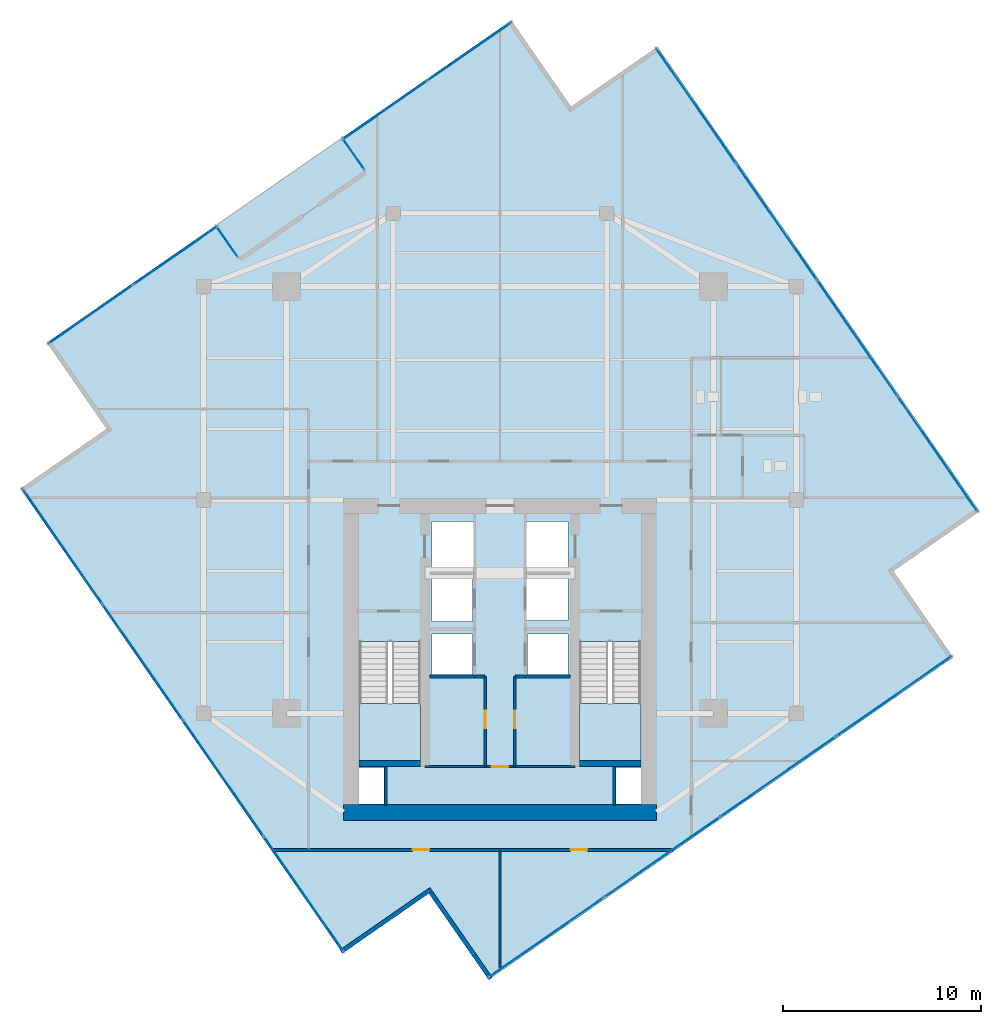
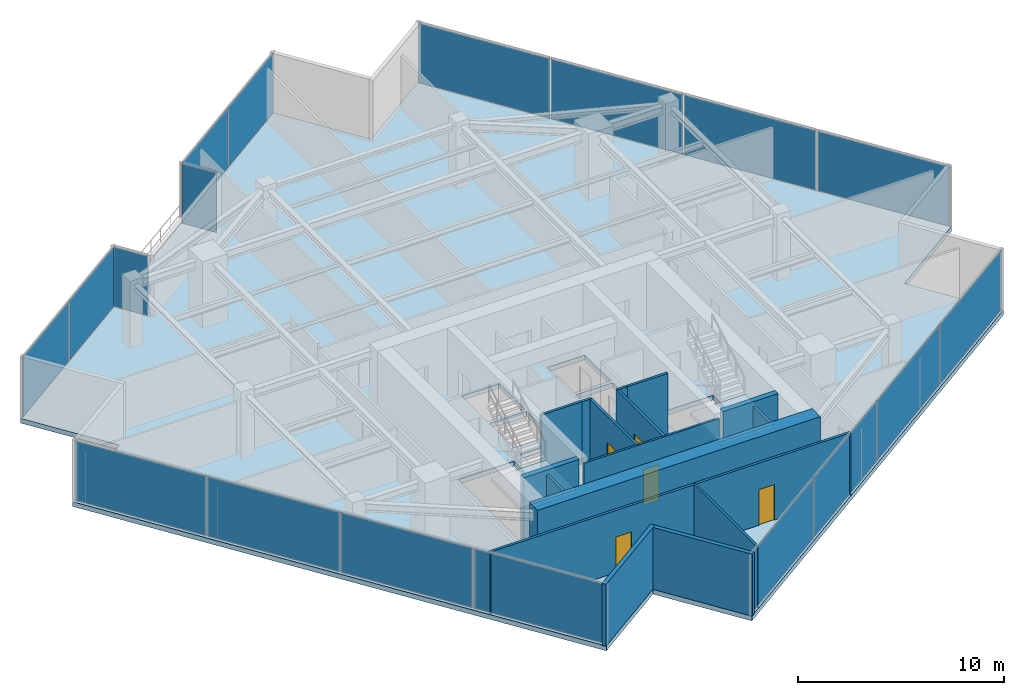
# One storey, part 17 of 21: 18 plates, 16 walls, 5 doors, 3 slabs, 5 openings, 9 elements without a shape of their own.
"""IFC4 building model written with IfcOpenShell, lengths in metres."""

from ifc_helpers import new_model, si_unit, direction, frame, frame_2d, origin, origin_2d, place, context, subcontext, project, spatial, polyline, rectangle, outline, extrude, source, transform, mapped, material, layer, layer_set, type_object, type_shapes, element, fill, aggregate, save


model = new_model("IFC4")

# Units and contexts
model_context = context("Model", 3, precision=1e-05, world=origin(), true_north=direction((0.0, 1.0)))
body_context = subcontext(model_context, "Body", "Model", "MODEL_VIEW")
ifc_project = project(units=[si_unit("LENGTHUNIT", "METRE"), si_unit("AREAUNIT", "SQUARE_METRE"), si_unit("VOLUMEUNIT", "CUBIC_METRE"), si_unit("PLANEANGLEUNIT", "RADIAN"), si_unit("MASSUNIT", "GRAM", prefix="KILO")], contexts=[model_context])

# Site, building, storey
site_placement = place(None, origin())
site = spatial("IfcSite", under=ifc_project, at=site_placement, CompositionType="ELEMENT")
building_placement = place(site_placement, origin())
building = spatial("IfcBuilding", under=site, at=building_placement, Name="Krantzveldt Concourse Tower", CompositionType="ELEMENT")
storey_placement = place(building_placement, frame((0.0, 0.0, 279.25)))
storey = spatial("IfcBuildingStorey", under=building, at=storey_placement, Name="L68", CompositionType="ELEMENT", Elevation=279.25)

# Stair, slab
ifc_material_1 = material(Name="Precast concrete C40/50", Category="concrete")
stair_type = type_object("IfcStairType", Name="STR-CORE-DOGLEG", PredefinedType="HALF_TURN_STAIR", material=ifc_material_1)
stair_1_placement = place(storey_placement, origin())
stair_1 = element("IfcStair", 1, at=stair_1_placement, inside=storey, type_object=stair_type, Name="L68 Protected Escape Stair ST-1", PredefinedType="HALF_TURN_STAIR")
ifc_layer_1 = layer(ifc_material_1, 0.199951171875, Name="Precast concrete C40/50", Category="concrete")
ifc_layer_set_1 = layer_set([ifc_layer_1], Name="Precast concrete C40/50 (SL-LANDING-200)")
slab_type_1 = type_object("IfcSlabType", Name="SL-LANDING-200", PredefinedType="LANDING", material=ifc_layer_set_1)
slab_1_placement = place(storey_placement, frame((0.0, 0.0, 1.77490234375)))
slab_1 = element("IfcSlab", 2, at=slab_1_placement, type_object=slab_type_1, Name="ST-1 landing 1", PredefinedType="LANDING", context=body_context, shape_type="SweptSolid", body=[
    extrude(outline(polyline([(28.8798828125, 16.4150390625), (28.8798828125, 13.52001953125), (31.97998046875, 13.52001953125), (31.97998046875, 16.4150390625), (28.8798828125, 16.4150390625)])), origin(), (0.0, 0.0, 1.0), 0.2001953125),
])
aggregate(stair_1, [slab_1])

stair_2_placement = place(storey_placement, origin())
stair_2 = element("IfcStair", 3, at=stair_2_placement, inside=storey, type_object=stair_type, Name="L68 Protected Escape Stair ST-2", PredefinedType="HALF_TURN_STAIR")
slab_2_placement = place(storey_placement, frame((0.0, 0.0, 1.77490234375)))
slab_2 = element("IfcSlab", 4, at=slab_2_placement, type_object=slab_type_1, Name="ST-2 landing 1", PredefinedType="LANDING", context=body_context, shape_type="SweptSolid", body=[
    extrude(outline(polyline([(40.02001953125, 16.4150390625), (40.02001953125, 13.52001953125), (43.1201171875, 13.52001953125), (43.1201171875, 16.4150390625), (40.02001953125, 16.4150390625)])), origin(), (0.0, 0.0, 1.0), 0.2001953125),
])
aggregate(stair_2, [slab_2])

# Slab
ifc_material_2 = material(Name="Concrete C40/50", Category="concrete")
ifc_layer_2 = layer(ifc_material_2, 0.280029296875, Name="Concrete C40/50", Category="concrete")
ifc_layer_set_2 = layer_set([ifc_layer_2], Name="Concrete C40/50 (SL-SL-TER280)")
slab_type_2 = type_object("IfcSlabType", Name="SL-SL-TER280", PredefinedType="FLOOR", material=ifc_layer_set_2)
slab_3_placement = place(storey_placement, frame((0.0, 0.0, -0.280029296875)))
element("IfcSlab", 5, at=slab_3_placement, inside=storey, type_object=slab_type_2, Name="SL-L68-MAIN", PredefinedType="FLOOR", context=body_context, shape_type="SweptSolid", body=[
    extrude(outline(polyline([(39.5986328125, 46.6005859375), (36.57763671875, 50.955322265625), (13.07861328125, 34.6533203125), (16.099609375, 30.298583984375), (11.744873046875, 27.277587890625), (28.046630859375, 3.778564453125), (32.4013671875, 6.799560546875), (35.42236328125, 2.44482421875), (58.92138671875, 18.74658203125), (55.900390625, 23.101318359375), (60.255126953125, 26.122314453125), (43.953369140625, 49.62158203125), (39.5986328125, 46.6005859375)]), holes=[polyline([(28.8798828125, 19.547607421875), (28.8798828125, 13.52001953125), (31.97998046875, 13.52001953125), (31.97998046875, 19.547607421875), (28.8798828125, 19.547607421875)]), polyline([(40.02001953125, 19.547607421875), (40.02001953125, 13.52001953125), (43.1201171875, 13.52001953125), (43.1201171875, 19.547607421875), (40.02001953125, 19.547607421875)]), polyline([(32.550048828125, 23.10009765625), (34.64990234375, 23.10009765625), (34.64990234375, 25.60009765625), (32.550048828125, 25.60009765625), (32.550048828125, 23.10009765625)]), polyline([(37.35009765625, 23.10009765625), (39.449951171875, 23.10009765625), (39.449951171875, 25.60009765625), (37.35009765625, 25.60009765625), (37.35009765625, 23.10009765625)]), polyline([(37.35009765625, 20.60009765625), (39.449951171875, 20.60009765625), (39.449951171875, 22.89990234375), (37.35009765625, 22.89990234375), (37.35009765625, 20.60009765625)]), polyline([(32.550048828125, 20.550048828125), (34.6201171875, 20.550048828125), (34.6201171875, 22.89990234375), (32.550048828125, 22.89990234375), (32.550048828125, 20.550048828125)]), polyline([(32.550048828125, 17.8798828125), (34.6201171875, 17.8798828125), (34.6201171875, 19.919921875), (32.550048828125, 19.919921875), (32.550048828125, 17.8798828125)]), polyline([(37.3798828125, 17.8798828125), (39.449951171875, 17.8798828125), (39.449951171875, 19.919921875), (37.3798828125, 19.919921875), (37.3798828125, 17.8798828125)]), polyline([(28.8798828125, 11.320068359375), (30.139892578125, 11.320068359375), (30.139892578125, 13.159912109375), (28.8798828125, 13.159912109375), (28.8798828125, 11.320068359375)]), polyline([(41.860107421875, 11.320068359375), (43.1201171875, 11.320068359375), (43.1201171875, 13.159912109375), (41.860107421875, 13.159912109375), (41.860107421875, 11.320068359375)])]), origin(), (0.0, 0.0, 1.0), 0.280029296875),
])

# Curtain wall, plate
ifc_material_3 = material(Name="Anodised aluminium 6063-T6", Category="aluminium")
curtain_wall_type_1 = type_object("IfcCurtainWallType", Name="CW6", PredefinedType="USERDEFINED", material=ifc_material_3)
curtain_wall_1_placement = place(storey_placement, origin())
curtain_wall_1 = element("IfcCurtainWall", 6, at=curtain_wall_1_placement, inside=storey, type_object=curtain_wall_type_1, Name="CW-L68-TR02", ObjectType="UNITISED CURTAIN WALL", PredefinedType="USERDEFINED")
ifc_material_4 = material(Name="Bronze-tinted laminated low-E IGU glass", Category="glass")
ifc_layer_3 = layer(ifc_material_4, 0.031982421875, Name="Bronze-tinted laminated low-E IGU glass", Category="glass")
ifc_layer_set_3 = layer_set([ifc_layer_3], Name="Bronze-tinted laminated low-E IGU glass (CW-GLZ-32)")
plate_type = type_object("IfcPlateType", Name="CW-GLZ-32", PredefinedType="CURTAIN_PANEL", material=ifc_layer_set_3)
shared_shape_1 = source(origin(), body_context, "Body", "SweptSolid", [
    extrude(rectangle(XDim=1.860107421875, YDim=0.031982421875, at=origin_2d()), origin(), (0.0, 0.0, 1.0), 3.530029296875),
])
plate_1_placement = place(storey_placement, frame((28.59423828125, 44.199951171875, 0.06982421875), z_axis=(0.0, 0.0, 1.0), x_axis=(0.569997514107, -0.8216464166, 0.0)))
plate_1 = element("IfcPlate", 7, at=plate_1_placement, type_object=plate_type, Name="CW-TERR panel 1.1", PredefinedType="CURTAIN_PANEL", context=body_context, shape_type="MappedRepresentation", body=[
    mapped(shared_shape_1, transform((0.0, 0.0, 0.0), x_axis=(1.0, 0.0, 0.0), y_axis=(0.0, 1.0, 0.0), z_axis=(0.0, 0.0, 1.0), scale=1.0)),
])
aggregate(curtain_wall_1, [plate_1])

curtain_wall_2_placement = place(storey_placement, origin())
curtain_wall_2 = element("IfcCurtainWall", 8, at=curtain_wall_2_placement, inside=storey, type_object=curtain_wall_type_1, Name="CW-L68-TR04", ObjectType="UNITISED CURTAIN WALL", PredefinedType="USERDEFINED")
plate_2_placement = place(storey_placement, frame((22.201904296875, 39.765380859375, 0.06982421875), z_axis=(0.0, 0.0, 1.0), x_axis=(-0.569996480262, 0.821647133805, 0.0)))
plate_2 = element("IfcPlate", 9, at=plate_2_placement, type_object=plate_type, Name="CW-TERR panel 1.1", PredefinedType="CURTAIN_PANEL", context=body_context, shape_type="MappedRepresentation", body=[
    mapped(shared_shape_1, transform((0.0, 0.0, 0.0), x_axis=(1.0, 0.0, 0.0), y_axis=(0.0, 1.0, 0.0), z_axis=(0.0, 0.0, 1.0), scale=1.0)),
])
aggregate(curtain_wall_2, [plate_2])

# Curtain wall, plates
curtain_wall_type_2 = type_object("IfcCurtainWallType", Name="CW4", PredefinedType="USERDEFINED", material=ifc_material_3)
curtain_wall_3_placement = place(storey_placement, origin())
curtain_wall_3 = element("IfcCurtainWall", 10, at=curtain_wall_3_placement, inside=storey, type_object=curtain_wall_type_2, Name="CW-L68-F08", ObjectType="UNITISED CURTAIN WALL", PredefinedType="USERDEFINED")
shared_shape_2 = source(origin(), body_context, "Body", "SweptSolid", [
    extrude(rectangle(XDim=7.044921875, YDim=0.031982421875, at=origin_2d()), origin(), (0.0, 0.0, 1.0), 3.530029296875),
])
plate_3_placement = place(storey_placement, frame((13.866455078125, 24.377197265625, 0.06982421875), z_axis=(0.0, 0.0, 1.0), x_axis=(0.569996627395, -0.821647031735, 0.0)))
plate_3 = element("IfcPlate", 11, at=plate_3_placement, type_object=plate_type, Name="CW-Z56 panel 1.1", PredefinedType="CURTAIN_PANEL", context=body_context, shape_type="MappedRepresentation", body=[
    mapped(shared_shape_2, transform((0.0, 0.0, 0.0), x_axis=(1.0, 0.0, 0.0), y_axis=(0.0, 1.0, 0.0), z_axis=(0.0, 0.0, 1.0), scale=1.0)),
])
plate_4_placement = place(storey_placement, frame((26.072998046875, 6.781494140625, 0.06982421875), z_axis=(0.0, 0.0, 1.0), x_axis=(0.569996627395, -0.821647031735, 0.0)))
plate_4 = element("IfcPlate", 12, at=plate_4_placement, type_object=plate_type, Name="CW-Z56 panel 4.1", PredefinedType="CURTAIN_PANEL", context=body_context, shape_type="MappedRepresentation", body=[
    mapped(shared_shape_2, transform((0.0, 0.0, 0.0), x_axis=(1.0, 0.0, 0.0), y_axis=(0.0, 1.0, 0.0), z_axis=(0.0, 0.0, 1.0), scale=1.0)),
])

curtain_wall_4_placement = place(storey_placement, origin())
curtain_wall_4 = element("IfcCurtainWall", 13, at=curtain_wall_4_placement, inside=storey, type_object=curtain_wall_type_2, Name="CW-L68-F11", ObjectType="UNITISED CURTAIN WALL", PredefinedType="USERDEFINED")
plate_5_placement = place(storey_placement, frame((38.32275390625, 4.56640625, 0.06982421875), z_axis=(0.0, 0.0, 1.0), x_axis=(0.821647031735, 0.569996627395, 0.0)))
plate_5 = element("IfcPlate", 14, at=plate_5_placement, type_object=plate_type, Name="CW-Z56 panel 1.1", PredefinedType="CURTAIN_PANEL", context=body_context, shape_type="MappedRepresentation", body=[
    mapped(shared_shape_2, transform((0.0, 0.0, 0.0), x_axis=(1.0, 0.0, 0.0), y_axis=(0.0, 1.0, 0.0), z_axis=(0.0, 0.0, 1.0), scale=1.0)),
])
plate_6_placement = place(storey_placement, frame((55.91845703125, 16.77294921875, 0.06982421875), z_axis=(0.0, 0.0, 1.0), x_axis=(0.821647031735, 0.569996627395, 0.0)))
plate_6 = element("IfcPlate", 15, at=plate_6_placement, type_object=plate_type, Name="CW-Z56 panel 4.1", PredefinedType="CURTAIN_PANEL", context=body_context, shape_type="MappedRepresentation", body=[
    mapped(shared_shape_2, transform((0.0, 0.0, 0.0), x_axis=(1.0, 0.0, 0.0), y_axis=(0.0, 1.0, 0.0), z_axis=(0.0, 0.0, 1.0), scale=1.0)),
])

curtain_wall_5_placement = place(storey_placement, origin())
curtain_wall_5 = element("IfcCurtainWall", 16, at=curtain_wall_5_placement, inside=storey, type_object=curtain_wall_type_2, Name="CW-L68-F14", ObjectType="UNITISED CURTAIN WALL", PredefinedType="USERDEFINED")
plate_7_placement = place(storey_placement, frame((58.133544921875, 29.02294921875, 0.06982421875), z_axis=(0.0, 0.0, 1.0), x_axis=(-0.569996627395, 0.821647031735, 0.0)))
plate_7 = element("IfcPlate", 17, at=plate_7_placement, type_object=plate_type, Name="CW-Z56 panel 1.1", PredefinedType="CURTAIN_PANEL", context=body_context, shape_type="MappedRepresentation", body=[
    mapped(shared_shape_2, transform((0.0, 0.0, 0.0), x_axis=(1.0, 0.0, 0.0), y_axis=(0.0, 1.0, 0.0), z_axis=(0.0, 0.0, 1.0), scale=1.0)),
])
plate_8_placement = place(storey_placement, frame((45.927001953125, 46.618408203125, 0.06982421875), z_axis=(0.0, 0.0, 1.0), x_axis=(-0.569996627395, 0.821647031735, 0.0)))
plate_8 = element("IfcPlate", 18, at=plate_8_placement, type_object=plate_type, Name="CW-Z56 panel 4.1", PredefinedType="CURTAIN_PANEL", context=body_context, shape_type="MappedRepresentation", body=[
    mapped(shared_shape_2, transform((0.0, 0.0, 0.0), x_axis=(1.0, 0.0, 0.0), y_axis=(0.0, 1.0, 0.0), z_axis=(0.0, 0.0, 1.0), scale=1.0)),
])

# Plate
shared_shape_3 = source(origin(), body_context, "Body", "SweptSolid", [
    extrude(rectangle(XDim=7.080078125, YDim=0.031982421875, at=origin_2d()), origin(), (0.0, 0.0, 1.0), 3.530029296875),
])
plate_9_placement = place(storey_placement, frame((17.931884765625, 18.516845703125, 0.06982421875), z_axis=(0.0, 0.0, 1.0), x_axis=(0.569996627395, -0.821647031735, 0.0)))
plate_9 = element("IfcPlate", 19, at=plate_9_placement, type_object=plate_type, Name="CW-Z56 panel 2.1", PredefinedType="CURTAIN_PANEL", context=body_context, shape_type="MappedRepresentation", body=[
    mapped(shared_shape_3, transform((0.0, 0.0, 0.0), x_axis=(1.0, 0.0, 0.0), y_axis=(0.0, 1.0, 0.0), z_axis=(0.0, 0.0, 1.0), scale=1.0)),
])

plate_10_placement = place(storey_placement, frame((22.00732421875, 12.64208984375, 0.06982421875), z_axis=(0.0, 0.0, 1.0), x_axis=(0.569996627395, -0.821647031735, 0.0)))
plate_10 = element("IfcPlate", 20, at=plate_10_placement, type_object=plate_type, Name="CW-Z56 panel 3.1", PredefinedType="CURTAIN_PANEL", context=body_context, shape_type="MappedRepresentation", body=[
    mapped(shared_shape_3, transform((0.0, 0.0, 0.0), x_axis=(1.0, 0.0, 0.0), y_axis=(0.0, 1.0, 0.0), z_axis=(0.0, 0.0, 1.0), scale=1.0)),
])

aggregate(curtain_wall_3, [plate_3, plate_9, plate_10, plate_4])

plate_11_placement = place(storey_placement, frame((44.183349609375, 8.6318359375, 0.06982421875), z_axis=(0.0, 0.0, 1.0), x_axis=(0.821647031735, 0.569996627395, 0.0)))
plate_11 = element("IfcPlate", 21, at=plate_11_placement, type_object=plate_type, Name="CW-Z56 panel 2.1", PredefinedType="CURTAIN_PANEL", context=body_context, shape_type="MappedRepresentation", body=[
    mapped(shared_shape_3, transform((0.0, 0.0, 0.0), x_axis=(1.0, 0.0, 0.0), y_axis=(0.0, 1.0, 0.0), z_axis=(0.0, 0.0, 1.0), scale=1.0)),
])

plate_12_placement = place(storey_placement, frame((50.05810546875, 12.70751953125, 0.06982421875), z_axis=(0.0, 0.0, 1.0), x_axis=(0.821647031735, 0.569996627395, 0.0)))
plate_12 = element("IfcPlate", 22, at=plate_12_placement, type_object=plate_type, Name="CW-Z56 panel 3.1", PredefinedType="CURTAIN_PANEL", context=body_context, shape_type="MappedRepresentation", body=[
    mapped(shared_shape_3, transform((0.0, 0.0, 0.0), x_axis=(1.0, 0.0, 0.0), y_axis=(0.0, 1.0, 0.0), z_axis=(0.0, 0.0, 1.0), scale=1.0)),
])

aggregate(curtain_wall_4, [plate_5, plate_11, plate_12, plate_6])

plate_13_placement = place(storey_placement, frame((54.068115234375, 34.88330078125, 0.06982421875), z_axis=(0.0, 0.0, 1.0), x_axis=(-0.569996627395, 0.821647031735, 0.0)))
plate_13 = element("IfcPlate", 23, at=plate_13_placement, type_object=plate_type, Name="CW-Z56 panel 2.1", PredefinedType="CURTAIN_PANEL", context=body_context, shape_type="MappedRepresentation", body=[
    mapped(shared_shape_3, transform((0.0, 0.0, 0.0), x_axis=(1.0, 0.0, 0.0), y_axis=(0.0, 1.0, 0.0), z_axis=(0.0, 0.0, 1.0), scale=1.0)),
])

plate_14_placement = place(storey_placement, frame((49.99267578125, 40.758056640625, 0.06982421875), z_axis=(0.0, 0.0, 1.0), x_axis=(-0.569996627395, 0.821647031735, 0.0)))
plate_14 = element("IfcPlate", 24, at=plate_14_placement, type_object=plate_type, Name="CW-Z56 panel 3.1", PredefinedType="CURTAIN_PANEL", context=body_context, shape_type="MappedRepresentation", body=[
    mapped(shared_shape_3, transform((0.0, 0.0, 0.0), x_axis=(1.0, 0.0, 0.0), y_axis=(0.0, 1.0, 0.0), z_axis=(0.0, 0.0, 1.0), scale=1.0)),
])

aggregate(curtain_wall_5, [plate_7, plate_13, plate_14, plate_8])

# Curtain wall, plates
curtain_wall_6_placement = place(storey_placement, origin())
curtain_wall_6 = element("IfcCurtainWall", 25, at=curtain_wall_6_placement, inside=storey, type_object=curtain_wall_type_2, Name="CW-L68-F01", ObjectType="UNITISED CURTAIN WALL", PredefinedType="USERDEFINED")
shared_shape_4 = source(origin(), body_context, "Body", "SweptSolid", [
    extrude(rectangle(XDim=5.14501953125, YDim=0.031982421875, at=origin_2d()), origin(), (0.0, 0.0, 1.0), 3.530029296875),
])
type_shapes(plate_type, [shared_shape_1, shared_shape_2, shared_shape_3, shared_shape_4])
plate_15_placement = place(storey_placement, frame((34.457763671875, 49.375, 0.06982421875), z_axis=(0.0, 0.0, 1.0), x_axis=(-0.821647117748, -0.569996503407, 0.0)))
plate_15 = element("IfcPlate", 26, at=plate_15_placement, type_object=plate_type, Name="CW-Z56 panel 1.1", PredefinedType="CURTAIN_PANEL", context=body_context, shape_type="MappedRepresentation", body=[
    mapped(shared_shape_4, transform((0.0, 0.0, 0.0), x_axis=(1.0, 0.0, 0.0), y_axis=(0.0, 1.0, 0.0), z_axis=(0.0, 0.0, 1.0), scale=1.0)),
])
plate_16_placement = place(storey_placement, frame((30.1728515625, 46.402587890625, 0.06982421875), z_axis=(0.0, 0.0, 1.0), x_axis=(-0.821647117748, -0.569996503407, 0.0)))
plate_16 = element("IfcPlate", 27, at=plate_16_placement, type_object=plate_type, Name="CW-Z56 panel 2.1", PredefinedType="CURTAIN_PANEL", context=body_context, shape_type="MappedRepresentation", body=[
    mapped(shared_shape_4, transform((0.0, 0.0, 0.0), x_axis=(1.0, 0.0, 0.0), y_axis=(0.0, 1.0, 0.0), z_axis=(0.0, 0.0, 1.0), scale=1.0)),
])
aggregate(curtain_wall_6, [plate_15, plate_16])

curtain_wall_7_placement = place(storey_placement, origin())
curtain_wall_7 = element("IfcCurtainWall", 28, at=curtain_wall_7_placement, inside=storey, type_object=curtain_wall_type_2, Name="CW-L68-F05", ObjectType="UNITISED CURTAIN WALL", PredefinedType="USERDEFINED")
plate_17_placement = place(storey_placement, frame((19.5859375, 39.05810546875, 0.06982421875), z_axis=(0.0, 0.0, 1.0), x_axis=(-0.82164742717, -0.569996057376, 0.0)))
plate_17 = element("IfcPlate", 29, at=plate_17_placement, type_object=plate_type, Name="CW-Z56 panel 1.1", PredefinedType="CURTAIN_PANEL", context=body_context, shape_type="MappedRepresentation", body=[
    mapped(shared_shape_4, transform((0.0, 0.0, 0.0), x_axis=(1.0, 0.0, 0.0), y_axis=(0.0, 1.0, 0.0), z_axis=(0.0, 0.0, 1.0), scale=1.0)),
])
plate_18_placement = place(storey_placement, frame((15.301025390625, 36.085693359375, 0.06982421875), z_axis=(0.0, 0.0, 1.0), x_axis=(-0.82164742717, -0.569996057376, 0.0)))
plate_18 = element("IfcPlate", 30, at=plate_18_placement, type_object=plate_type, Name="CW-Z56 panel 2.1", PredefinedType="CURTAIN_PANEL", context=body_context, shape_type="MappedRepresentation", body=[
    mapped(shared_shape_4, transform((0.0, 0.0, 0.0), x_axis=(1.0, 0.0, 0.0), y_axis=(0.0, 1.0, 0.0), z_axis=(0.0, 0.0, 1.0), scale=1.0)),
])
aggregate(curtain_wall_7, [plate_17, plate_18])

# Walls
ifc_layer_4 = layer(ifc_material_3, 0.219970703125, Name="Anodised aluminium 6063-T6", Category="aluminium")
ifc_layer_set_4 = layer_set([ifc_layer_4], Name="Anodised aluminium 6063-T6 (WL-EXT-NOTCH220)")
wall_type_1 = type_object("IfcWallType", Name="WL-EXT-NOTCH220", PredefinedType="ELEMENTEDWALL", material=ifc_layer_set_4)
wall_1_placement = place(storey_placement, frame((27.96337890625, 3.854736328125, 0.0), z_axis=(0.0, 0.0, 1.0), x_axis=(0.821652918874, 0.569988141022, 0.0)))
element("IfcWall", 31, at=wall_1_placement, inside=storey, type_object=wall_type_1, Name="EW-L68-NCH09", PredefinedType="ELEMENTEDWALL", context=body_context, shape_type="SweptSolid", body=[
    extrude(rectangle(XDim=5.545166015625, YDim=0.219970703125, at=frame_2d((2.7724609375, 0.0))), origin(), (0.0, 0.0, 1.0), 3.669921875),
])
wall_2_placement = place(storey_placement, frame((32.49169921875, 6.8623046875, 0.0), z_axis=(0.0, 0.0, 1.0), x_axis=(0.569998811791, -0.821645516361, 0.0)))
element("IfcWall", 32, at=wall_2_placement, inside=storey, type_object=wall_type_1, Name="EW-L68-NCH10", PredefinedType="ELEMENTEDWALL", context=body_context, shape_type="SweptSolid", body=[
    extrude(rectangle(XDim=5.3251953125, YDim=0.219970703125, at=frame_2d((2.66259765625, 0.0))), origin(), (0.0, 0.0, 1.0), 3.669921875),
])

# Wall, opening, door
ifc_material_5 = material(Name="Fire-rated gypsum plasterboard on steel stud", Category="steel")
ifc_layer_5 = layer(ifc_material_5, 0.1201171875, Name="Fire-rated gypsum plasterboard on steel stud", Category="steel")
ifc_layer_set_5 = layer_set([ifc_layer_5], Name="Fire-rated gypsum plasterboard on steel stud (WL-PART-120)")
wall_type_2 = type_object("IfcWallType", Name="WL-PART-120", PredefinedType="PARTITIONING", material=ifc_layer_set_5)
wall_3_placement = place(storey_placement, frame((32.2099609375, 13.219970703125, 0.0), z_axis=(0.0, 0.0, 1.0), x_axis=(1.0, 0.0, 0.0)))
wall_3 = element("IfcWall", 33, at=wall_3_placement, inside=storey, type_object=wall_type_2, Name="WP-L68-CS2H", PredefinedType="PARTITIONING", context=body_context, shape_type="SweptSolid", body=[
    extrude(rectangle(XDim=7.580078125, YDim=0.1201171875, at=frame_2d((3.7900390625, 0.0))), origin(), (0.0, 0.0, 1.0), 3.669921875),
])
opening_1_placement = place(wall_3_placement, frame((3.364990234375, 0.0, 0.0)))
opening_1 = element("IfcOpeningElement", 34, at=opening_1_placement, cuts=wall_3, Name="Opening D-IN085", PredefinedType="OPENING", context=body_context, shape_type="SweptSolid", body=[
    extrude(rectangle(XDim=0.85009765625, YDim=2.10009765625, at=frame_2d((0.425048828125, 1.050048828125))), frame((0.0, 0.070068359375, 0.0), z_axis=(0.0, -1.0, 0.0), x_axis=(1.0, 0.0, 0.0)), (0.0, 0.0, 1.0), 0.14013671875),
])
ifc_material_6 = material(Name="Hardwood timber", Category="wood")
door_type_1 = type_object("IfcDoorType", Name="DR-INT-850", OperationType="SINGLE_SWING_LEFT", PredefinedType="DOOR", material=ifc_material_6)
door_1_placement = place(opening_1_placement, origin())
door_1 = element("IfcDoor", 35, at=door_1_placement, inside=storey, type_object=door_type_1, Name="DR-L68-CSC1", OperationType="SINGLE_SWING_RIGHT", OverallHeight=2.10009765625, OverallWidth=0.85009765625, PredefinedType="DOOR", context=body_context, shape_type="SweptSolid", body=[
    extrude(rectangle(XDim=0.85009765625, YDim=2.10009765625, at=frame_2d((0.425048828125, 1.050048828125))), frame((0.0, 0.02490234375, 0.0), z_axis=(0.0, -1.0, 0.0), x_axis=(1.0, 0.0, 0.0)), (0.0, 0.0, 1.0), 0.050048828125),
])
fill(opening_1, door_1)

# Wall
wall_4_placement = place(storey_placement, frame((36.0, 2.955078125, 0.0), z_axis=(0.0, 0.0, 1.0), x_axis=(0.0, 1.0, 0.0)))
element("IfcWall", 36, at=wall_4_placement, inside=storey, type_object=wall_type_2, Name="WP-L68-SSMD", PredefinedType="PARTITIONING", context=body_context, shape_type="SweptSolid", body=[
    extrude(rectangle(XDim=6.044921875, YDim=0.1201171875, at=frame_2d((3.0224609375, 0.0))), origin(), (0.0, 0.0, 1.0), 3.669921875),
])

# Wall, openings, doors
ifc_layer_6 = layer(ifc_material_5, 0.139892578125, Name="Fire-rated gypsum plasterboard on steel stud", Category="steel")
ifc_layer_set_6 = layer_set([ifc_layer_6], Name="Fire-rated gypsum plasterboard on steel stud (WL-PART-140)")
wall_type_3 = type_object("IfcWallType", Name="WL-PART-140", PredefinedType="PARTITIONING", material=ifc_layer_set_6)
wall_5_placement = place(storey_placement, frame((24.533935546875, 9.0, 0.0), z_axis=(0.0, 0.0, 1.0), x_axis=(1.0, 0.0, 0.0)))
wall_5 = element("IfcWall", 37, at=wall_5_placement, inside=storey, type_object=wall_type_3, Name="WP-L68-CSBOT", PredefinedType="PARTITIONING", context=body_context, shape_type="SweptSolid", body=[
    extrude(rectangle(XDim=20.179931640625, YDim=0.139892578125, at=frame_2d((10.08984375, 0.0))), origin(), (0.0, 0.0, 1.0), 3.669921875),
])
opening_2_placement = place(wall_5_placement, frame((7.041015625, 0.0, 0.0)))
opening_2 = element("IfcOpeningElement", 38, at=opening_2_placement, cuts=wall_5, Name="Opening D-IN085", PredefinedType="OPENING", context=body_context, shape_type="SweptSolid", body=[
    extrude(rectangle(XDim=0.85009765625, YDim=2.10009765625, at=frame_2d((0.425048828125, 1.050048828125))), frame((0.0, 0.080078125, 0.0), z_axis=(0.0, -1.0, 0.0), x_axis=(1.0, 0.0, 0.0)), (0.0, 0.0, 1.0), 0.159912109375),
])
opening_3_placement = place(wall_5_placement, frame((15.041015625, 0.0, 0.0)))
opening_3 = element("IfcOpeningElement", 39, at=opening_3_placement, cuts=wall_5, Name="Opening D-IN085", PredefinedType="OPENING", context=body_context, shape_type="SweptSolid", body=[
    extrude(rectangle(XDim=0.85009765625, YDim=2.10009765625, at=frame_2d((0.425048828125, 1.050048828125))), frame((0.0, 0.080078125, 0.0), z_axis=(0.0, -1.0, 0.0), x_axis=(1.0, 0.0, 0.0)), (0.0, 0.0, 1.0), 0.159912109375),
])
door_2_placement = place(opening_2_placement, origin())
door_2 = element("IfcDoor", 40, at=door_2_placement, inside=storey, type_object=door_type_1, Name="DR-L68-SR1", OperationType="SINGLE_SWING_LEFT", OverallHeight=2.10009765625, OverallWidth=0.85009765625, PredefinedType="DOOR", context=body_context, shape_type="SweptSolid", body=[
    extrude(rectangle(XDim=0.85009765625, YDim=2.10009765625, at=frame_2d((0.425048828125, 1.050048828125))), frame((0.0, 0.02490234375, 0.0), z_axis=(0.0, -1.0, 0.0), x_axis=(1.0, 0.0, 0.0)), (0.0, 0.0, 1.0), 0.050048828125),
])
fill(opening_2, door_2)
door_3_placement = place(opening_3_placement, origin())
door_3 = element("IfcDoor", 41, at=door_3_placement, inside=storey, type_object=door_type_1, Name="DR-L68-SR2", OperationType="SINGLE_SWING_LEFT", OverallHeight=2.10009765625, OverallWidth=0.85009765625, PredefinedType="DOOR", context=body_context, shape_type="SweptSolid", body=[
    extrude(rectangle(XDim=0.85009765625, YDim=2.10009765625, at=frame_2d((0.425048828125, 1.050048828125))), frame((0.0, 0.02490234375, 0.0), z_axis=(0.0, -1.0, 0.0), x_axis=(1.0, 0.0, 0.0)), (0.0, 0.0, 1.0), 0.050048828125),
])
fill(opening_3, door_3)

# Walls
ifc_layer_7 = layer(ifc_material_5, 0.139892578125, Name="Fire-rated gypsum plasterboard on steel stud", Category="steel")
ifc_layer_set_7 = layer_set([ifc_layer_7], Name="Fire-rated gypsum plasterboard on steel stud (WL-PART-FR140)")
wall_type_4 = type_object("IfcWallType", Name="WL-PART-FR140", PredefinedType="PARTITIONING", material=ifc_layer_set_7)
for number, where, z_axis, x_axis, name in (
    (42, (32.449951171875, 17.780029296875, 0.0), (0.0, 0.0, 1.0), (1.0, 0.0, 0.0), "WP-L68-DIVW2"),
    (43, (37.280029296875, 17.780029296875, 0.0), (0.0, 0.0, 1.0), (1.0, 0.0, 0.0), "WP-L68-DIVE2"),
):
    element("IfcWall", number, at=place(storey_placement, frame(where, z_axis=z_axis, x_axis=x_axis)), inside=storey, type_object=wall_type_4, Name=name, PredefinedType="PARTITIONING", context=body_context, shape_type="SweptSolid", body=[
        extrude(rectangle(XDim=2.27001953125, YDim=0.139892578125, at=frame_2d((1.135009765625, 0.0))), origin(), (0.0, 0.0, 1.0), 3.669921875),
    ])

# Wall, opening, door
wall_6_placement = place(storey_placement, frame((35.25, 13.219970703125, 0.0), z_axis=(0.0, 0.0, 1.0), x_axis=(0.0, 1.0, 0.0)))
wall_6 = element("IfcWall", 44, at=wall_6_placement, inside=storey, type_object=wall_type_4, Name="WP-L68-RECW", PredefinedType="PARTITIONING", context=body_context, shape_type="SweptSolid", body=[
    extrude(rectangle(XDim=4.56005859375, YDim=0.139892578125, at=frame_2d((2.280029296875, 0.0))), origin(), (0.0, 0.0, 1.0), 3.669921875),
])
opening_4_placement = place(wall_6_placement, frame((1.929931640625, 0.0, 0.0)))
opening_4 = element("IfcOpeningElement", 45, at=opening_4_placement, cuts=wall_6, Name="Opening D-FD090", PredefinedType="OPENING", context=body_context, shape_type="SweptSolid", body=[
    extrude(rectangle(XDim=0.89990234375, YDim=2.10009765625, at=frame_2d((0.449951171875, 1.050048828125))), frame((0.0, 0.080078125, 0.0), z_axis=(0.0, -1.0, 0.0), x_axis=(1.0, 0.0, 0.0)), (0.0, 0.0, 1.0), 0.159912109375),
])
door_type_2 = type_object("IfcDoorType", Name="DR-FD60-900", OperationType="SINGLE_SWING_LEFT", PredefinedType="DOOR", material=ifc_material_6)
door_4_placement = place(opening_4_placement, origin())
door_4 = element("IfcDoor", 46, at=door_4_placement, inside=storey, type_object=door_type_2, Name="DR-L68-RECW", OperationType="SINGLE_SWING_LEFT", OverallHeight=2.10009765625, OverallWidth=0.89990234375, PredefinedType="DOOR", context=body_context, shape_type="SweptSolid", body=[
    extrude(rectangle(XDim=0.89990234375, YDim=2.10009765625, at=frame_2d((0.449951171875, 1.050048828125))), frame((0.0, 0.02490234375, 0.0), z_axis=(0.0, -1.0, 0.0), x_axis=(1.0, 0.0, 0.0)), (0.0, 0.0, 1.0), 0.050048828125),
])
fill(opening_4, door_4)

# Wall
wall_7_placement = place(storey_placement, frame((34.719970703125, 17.780029296875, 0.0), z_axis=(0.0, 0.0, 1.0), x_axis=(1.0, 0.0, 0.0)))
element("IfcWall", 47, at=wall_7_placement, inside=storey, type_object=wall_type_4, Name="WP-L68-RECWN", PredefinedType="PARTITIONING", context=body_context, shape_type="SweptSolid", body=[
    extrude(rectangle(XDim=0.530029296875, YDim=0.139892578125, at=frame_2d((0.26513671875, 0.0))), origin(), (0.0, 0.0, 1.0), 3.669921875),
])

# Wall, opening, door
wall_8_placement = place(storey_placement, frame((36.75, 13.219970703125, 0.0), z_axis=(0.0, 0.0, 1.0), x_axis=(0.0, 1.0, 0.0)))
wall_8 = element("IfcWall", 48, at=wall_8_placement, inside=storey, type_object=wall_type_4, Name="WP-L68-RECE", PredefinedType="PARTITIONING", context=body_context, shape_type="SweptSolid", body=[
    extrude(rectangle(XDim=4.56005859375, YDim=0.139892578125, at=frame_2d((2.280029296875, 0.0))), origin(), (0.0, 0.0, 1.0), 3.669921875),
])
opening_5_placement = place(wall_8_placement, frame((1.929931640625, 0.0, 0.0)))
opening_5 = element("IfcOpeningElement", 49, at=opening_5_placement, cuts=wall_8, Name="Opening D-FD090", PredefinedType="OPENING", context=body_context, shape_type="SweptSolid", body=[
    extrude(rectangle(XDim=0.89990234375, YDim=2.10009765625, at=frame_2d((0.449951171875, 1.050048828125))), frame((0.0, 0.080078125, 0.0), z_axis=(0.0, -1.0, 0.0), x_axis=(1.0, 0.0, 0.0)), (0.0, 0.0, 1.0), 0.159912109375),
])
door_5_placement = place(opening_5_placement, origin())
door_5 = element("IfcDoor", 50, at=door_5_placement, inside=storey, type_object=door_type_2, Name="DR-L68-RECE", OperationType="SINGLE_SWING_RIGHT", OverallHeight=2.10009765625, OverallWidth=0.89990234375, PredefinedType="DOOR", context=body_context, shape_type="SweptSolid", body=[
    extrude(rectangle(XDim=0.89990234375, YDim=2.10009765625, at=frame_2d((0.449951171875, 1.050048828125))), frame((0.0, 0.02490234375, 0.0), z_axis=(0.0, -1.0, 0.0), x_axis=(1.0, 0.0, 0.0)), (0.0, 0.0, 1.0), 0.050048828125),
])
fill(opening_5, door_5)

# Walls
wall_9_placement = place(storey_placement, frame((36.75, 17.780029296875, 0.0), z_axis=(0.0, 0.0, 1.0), x_axis=(1.0, 0.0, 0.0)))
element("IfcWall", 51, at=wall_9_placement, inside=storey, type_object=wall_type_4, Name="WP-L68-RECEN", PredefinedType="PARTITIONING", context=body_context, shape_type="SweptSolid", body=[
    extrude(rectangle(XDim=0.530029296875, YDim=0.139892578125, at=frame_2d((0.26513671875, 0.0))), origin(), (0.0, 0.0, 1.0), 3.669921875),
])
for number, where, z_axis, x_axis, name in (
    (52, (30.219970703125, 11.25, 0.0), (0.0, 0.0, 1.0), (0.0, 1.0, 0.0), "WP-L68-RSW"),
    (53, (41.780029296875, 11.25, 0.0), (0.0, 0.0, 1.0), (0.0, 1.0, 0.0), "WP-L68-RSE"),
):
    element("IfcWall", number, at=place(storey_placement, frame(where, z_axis=z_axis, x_axis=x_axis)), inside=storey, type_object=wall_type_4, Name=name, PredefinedType="PARTITIONING", context=body_context, shape_type="SweptSolid", body=[
        extrude(rectangle(XDim=1.969970703125, YDim=0.1201171875, at=frame_2d((0.98486328125, 0.0))), origin(), (0.0, 0.0, 1.0), 3.669921875),
    ])
ifc_material_7 = material(Name="Concrete C50/60", Category="concrete")
ifc_layer_8 = layer(ifc_material_7, 0.300048828125, Name="Concrete C50/60", Category="concrete")
ifc_layer_set_8 = layer_set([ifc_layer_8], Name="Concrete C50/60 (WL-SHEAR-300)")
wall_type_5 = type_object("IfcWallType", Name="WL-SHEAR-300", PredefinedType="SHEAR", material=ifc_layer_set_8)
for number, where, z_axis, x_axis, name in (
    (54, (28.8798828125, 13.3701171875, 0.0), (0.0, 0.0, 1.0), (1.0, 0.0, 0.0), "CW-L68-ST1S"),
    (55, (40.02001953125, 13.3701171875, 0.0), (0.0, 0.0, 1.0), (1.0, 0.0, 0.0), "CW-L68-ST2S"),
):
    element("IfcWall", number, at=place(storey_placement, frame(where, z_axis=z_axis, x_axis=x_axis)), inside=storey, type_object=wall_type_5, Name=name, PredefinedType="SHEAR", context=body_context, shape_type="SweptSolid", body=[
        extrude(rectangle(XDim=3.10009765625, YDim=0.300048828125, at=frame_2d((1.550048828125, 0.0))), origin(), (0.0, 0.0, 1.0), 3.949951171875),
    ])
ifc_material_8 = material(Name="Concrete C60/75", Category="concrete")
ifc_layer_9 = layer(ifc_material_8, 0.800048828125, Name="Concrete C60/75", Category="concrete")
ifc_layer_set_9 = layer_set([ifc_layer_9], Name="Concrete C60/75 (WL-SHEAR-800)")
wall_type_6 = type_object("IfcWallType", Name="WL-SHEAR-800", PredefinedType="SHEAR", material=ifc_layer_set_9)
wall_10_placement = place(storey_placement, frame((28.080078125, 10.89990234375, 0.0), z_axis=(0.0, 0.0, 1.0), x_axis=(1.0, 0.0, 0.0)))
element("IfcWall", 56, at=wall_10_placement, inside=storey, type_object=wall_type_6, Name="CW-L68-S", PredefinedType="SHEAR", context=body_context, shape_type="SweptSolid", body=[
    extrude(rectangle(XDim=15.83984375, YDim=0.800048828125, at=frame_2d((7.919921875, 0.0))), origin(), (0.0, 0.0, 1.0), 3.949951171875),
])

save(model, "model.ifc")
